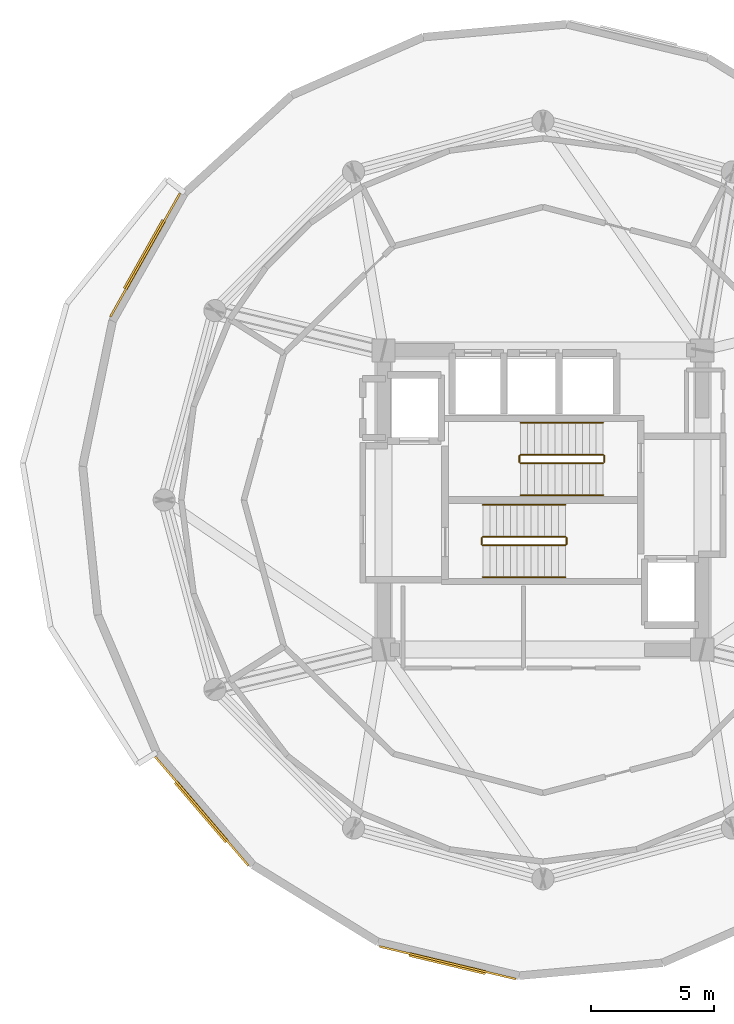
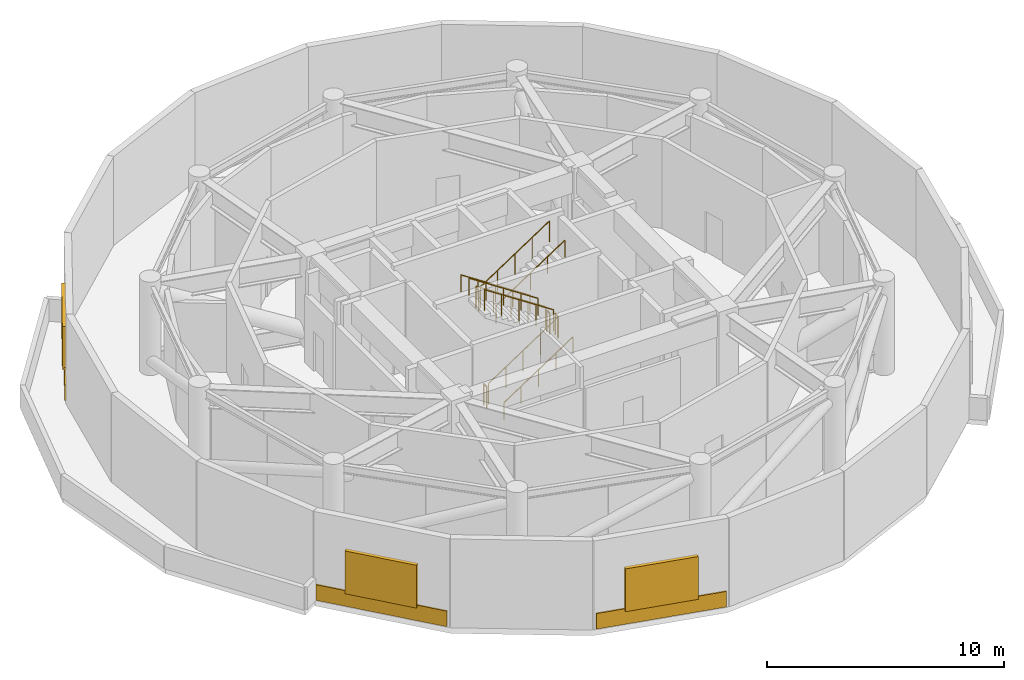
# One storey, part 6 of 7: 12 railings, 3 coverings, 3 shading devices.
"""IFC4 building model written with IfcOpenShell, lengths in metres."""

from ifc_helpers import new_model, si_unit, direction, frame, origin, origin_2d, place, context, subcontext, project, spatial, rectangle, circle, extrude, material, layer, layer_set, type_object, element, save


model = new_model("IFC4")

# Units and contexts
model_context = context("Model", 3, precision=1e-05, world=origin(), true_north=direction((0.0, 1.0)))
body_context = subcontext(model_context, "Body", "Model", "MODEL_VIEW")
ifc_project = project(units=[si_unit("LENGTHUNIT", "METRE"), si_unit("AREAUNIT", "SQUARE_METRE"), si_unit("VOLUMEUNIT", "CUBIC_METRE"), si_unit("PLANEANGLEUNIT", "RADIAN"), si_unit("MASSUNIT", "GRAM", prefix="KILO")], contexts=[model_context])

# Site, building, storey
site_placement = place(None, origin())
site = spatial("IfcSite", under=ifc_project, at=site_placement, CompositionType="ELEMENT")
building_placement = place(site_placement, origin())
building = spatial("IfcBuilding", under=site, at=building_placement, Name="Solvirekh Grand Hotel", CompositionType="ELEMENT")
storey_placement = place(building_placement, frame((0.0, 0.0, 234.39990234375)))
storey = spatial("IfcBuildingStorey", under=building, at=storey_placement, Name="L61", CompositionType="ELEMENT", Elevation=234.39990234375)

# Coverings
ifc_material_1 = material(Name="Anodized Bronze Aluminium 6063-T6", Category="aluminium")
ifc_layer_1 = layer(ifc_material_1, 0.0400390625)
ifc_layer_set_1 = layer_set([ifc_layer_1], Name="Anodized Bronze Aluminium 6063-T6")
covering_type = type_object("IfcCoveringType", Name="Cov_Cladding_Bronze", PredefinedType="CLADDING", material=ifc_layer_set_1)
covering_1_placement = place(storey_placement, frame((-16.22412109375, 9.990966796875, 0.05029296875), z_axis=(0.0, 0.0, 1.0), x_axis=(0.490751690644, 0.871299476719, 0.0)))
element("IfcCovering", 1, at=covering_1_placement, inside=storey, type_object=covering_type, Name="L61 bronze spandrel cladding band 13", PredefinedType="CLADDING", context=body_context, shape_type="SweptSolid", body=[
    extrude(rectangle(XDim=5.783935546875, YDim=0.080078125, at=origin_2d()), origin(), (0.0, 0.0, 1.0), 0.800048828125),
])
covering_2_placement = place(storey_placement, frame((-13.912109375, -12.696044921875, 0.05029296875), z_axis=(0.0, 0.0, 1.0), x_axis=(-0.650509141939, 0.759498424128, 0.0)))
element("IfcCovering", 2, at=covering_2_placement, inside=storey, type_object=covering_type, Name="L61 bronze spandrel cladding band 17", PredefinedType="CLADDING", context=body_context, shape_type="SweptSolid", body=[
    extrude(rectangle(XDim=5.85400390625, YDim=0.080078125, at=origin_2d()), origin(), (0.0, 0.0, 1.0), 0.800048828125),
])
covering_3_placement = place(storey_placement, frame((-3.886962890625, -18.873046875, 0.05029296875), z_axis=(0.0, 0.0, 1.0), x_axis=(-0.972613850605, 0.232426972642, 0.0)))
element("IfcCovering", 3, at=covering_3_placement, inside=storey, type_object=covering_type, Name="L61 bronze spandrel cladding band 19", PredefinedType="CLADDING", context=body_context, shape_type="SweptSolid", body=[
    extrude(rectangle(XDim=5.715087890625, YDim=0.080078125, at=origin_2d()), origin(), (0.0, 0.0, 1.0), 0.800048828125),
])

# Railings
ifc_material_2 = material(Name="Steel S355", Category="steel")
railing_type_1 = type_object("IfcRailingType", Name="Guard_Stair_1100", PredefinedType="GUARDRAIL", material=ifc_material_2)
railing_1_placement = place(storey_placement, frame((-2.449951171875, -1.85009765625, 0.184814453125)))
element("IfcRailing", 4, at=railing_1_placement, inside=storey, type_object=railing_type_1, Name="L61 ST-1 stair guard 1", PredefinedType="GUARDRAIL", context=body_context, shape_type="SweptSolid", body=[
    extrude(circle(Radius=0.02392578125, at=origin_2d()), frame((0.0, 0.0, 1.076171875), z_axis=(0.834858096282, 0.0, 0.550465220583), x_axis=(0.0, 1.0, 0.0)), (0.0, 0.0, 1.0), 4.0244140625),
    extrude(circle(Radius=0.02099609375, at=origin_2d()), origin(), (0.0, 0.0, 1.0), 1.052001953125),
    extrude(circle(Radius=0.02099609375, at=origin_2d()), frame((0.83984375, 0.0, 0.5537109375)), (0.0, 0.0, 1.0), 1.052001953125),
    extrude(circle(Radius=0.02099609375, at=origin_2d()), frame((1.679931640625, 0.0, 1.107666015625)), (0.0, 0.0, 1.0), 1.052001953125),
    extrude(circle(Radius=0.02099609375, at=origin_2d()), frame((2.52001953125, 0.0, 1.66162109375)), (0.0, 0.0, 1.0), 1.052001953125),
    extrude(circle(Radius=0.02099609375, at=origin_2d()), frame((3.35986328125, 0.0, 2.21533203125)), (0.0, 0.0, 1.0), 1.052001953125),
])
railing_2_placement = place(storey_placement, frame((0.9599609375, -1.800048828125, 2.400146484375)))
element("IfcRailing", 5, at=railing_2_placement, inside=storey, type_object=railing_type_1, Name="L61 ST-1 stair guard 2", PredefinedType="GUARDRAIL", context=body_context, shape_type="SweptSolid", body=[
    extrude(circle(Radius=0.02392578125, at=origin_2d()), frame((0.0, 0.0, 1.076171875), z_axis=(0.0, 1.0, 0.0), x_axis=(-1.0, 0.0, 0.0)), (0.0, 0.0, 1.0), 0.25),
    extrude(circle(Radius=0.02099609375, at=origin_2d()), origin(), (0.0, 0.0, 1.0), 1.052001953125),
    extrude(circle(Radius=0.02099609375, at=origin_2d()), frame((0.0, 0.25, 0.0)), (0.0, 0.0, 1.0), 1.052001953125),
])
railing_3_placement = place(storey_placement, frame((0.909912109375, -1.5, 2.584716796875)))
element("IfcRailing", 6, at=railing_3_placement, inside=storey, type_object=railing_type_1, Name="L61 ST-1 stair guard 3", PredefinedType="GUARDRAIL", context=body_context, shape_type="SweptSolid", body=[
    extrude(circle(Radius=0.02392578125, at=origin_2d()), frame((0.0, 0.0, 1.076171875), z_axis=(-0.834858096282, 0.0, 0.550465220583), x_axis=(0.0, -1.0, 0.0)), (0.0, 0.0, 1.0), 4.0244140625),
    extrude(circle(Radius=0.02099609375, at=origin_2d()), origin(), (0.0, 0.0, 1.0), 1.052001953125),
    extrude(circle(Radius=0.02099609375, at=origin_2d()), frame((-0.83984375, 0.0, 0.5537109375)), (0.0, 0.0, 1.0), 1.052001953125),
    extrude(circle(Radius=0.02099609375, at=origin_2d()), frame((-1.679931640625, 0.0, 1.107666015625)), (0.0, 0.0, 1.0), 1.052001953125),
    extrude(circle(Radius=0.02099609375, at=origin_2d()), frame((-2.52001953125, 0.0, 1.66162109375)), (0.0, 0.0, 1.0), 1.052001953125),
    extrude(circle(Radius=0.02099609375, at=origin_2d()), frame((-3.35986328125, 0.0, 2.21533203125)), (0.0, 0.0, 1.0), 1.052001953125),
])
railing_4_placement = place(storey_placement, frame((-2.5, -1.800048828125, 0.0)))
element("IfcRailing", 7, at=railing_4_placement, inside=storey, type_object=railing_type_1, Name="L61 ST-1 stair guard 4", PredefinedType="GUARDRAIL", context=body_context, shape_type="SweptSolid", body=[
    extrude(circle(Radius=0.02392578125, at=origin_2d()), frame((0.0, 0.0, 1.076171875), z_axis=(0.0, 1.0, 0.0), x_axis=(-1.0, 0.0, 0.0)), (0.0, 0.0, 1.0), 0.25),
    extrude(circle(Radius=0.02099609375, at=origin_2d()), origin(), (0.0, 0.0, 1.0), 1.052001953125),
    extrude(circle(Radius=0.02099609375, at=origin_2d()), frame((0.0, 0.25, 0.0)), (0.0, 0.0, 1.0), 1.052001953125),
])
railing_5_placement = place(storey_placement, frame((2.449951171875, 1.85009765625, 0.184814453125)))
element("IfcRailing", 8, at=railing_5_placement, inside=storey, type_object=railing_type_1, Name="L61 ST-2 stair guard 1", PredefinedType="GUARDRAIL", context=body_context, shape_type="SweptSolid", body=[
    extrude(circle(Radius=0.02392578125, at=origin_2d()), frame((0.0, 0.0, 1.076171875), z_axis=(-0.834858096282, 0.0, 0.550465220583), x_axis=(0.0, -1.0, 0.0)), (0.0, 0.0, 1.0), 4.0244140625),
    extrude(circle(Radius=0.02099609375, at=origin_2d()), origin(), (0.0, 0.0, 1.0), 1.052001953125),
    extrude(circle(Radius=0.02099609375, at=origin_2d()), frame((-0.83984375, 0.0, 0.5537109375)), (0.0, 0.0, 1.0), 1.052001953125),
    extrude(circle(Radius=0.02099609375, at=origin_2d()), frame((-1.679931640625, 0.0, 1.107666015625)), (0.0, 0.0, 1.0), 1.052001953125),
    extrude(circle(Radius=0.02099609375, at=origin_2d()), frame((-2.52001953125, 0.0, 1.66162109375)), (0.0, 0.0, 1.0), 1.052001953125),
    extrude(circle(Radius=0.02099609375, at=origin_2d()), frame((-3.35986328125, 0.0, 2.21533203125)), (0.0, 0.0, 1.0), 1.052001953125),
])
railing_6_placement = place(storey_placement, frame((-0.9599609375, 1.800048828125, 2.400146484375)))
element("IfcRailing", 9, at=railing_6_placement, inside=storey, type_object=railing_type_1, Name="L61 ST-2 stair guard 2", PredefinedType="GUARDRAIL", context=body_context, shape_type="SweptSolid", body=[
    extrude(circle(Radius=0.02392578125, at=origin_2d()), frame((0.0, 0.0, 1.076171875), z_axis=(0.0, -1.0, 0.0), x_axis=(1.0, 0.0, 0.0)), (0.0, 0.0, 1.0), 0.25),
    extrude(circle(Radius=0.02099609375, at=origin_2d()), origin(), (0.0, 0.0, 1.0), 1.052001953125),
    extrude(circle(Radius=0.02099609375, at=origin_2d()), frame((0.0, -0.25, 0.0)), (0.0, 0.0, 1.0), 1.052001953125),
])
railing_7_placement = place(storey_placement, frame((-0.909912109375, 1.5, 2.584716796875)))
element("IfcRailing", 10, at=railing_7_placement, inside=storey, type_object=railing_type_1, Name="L61 ST-2 stair guard 3", PredefinedType="GUARDRAIL", context=body_context, shape_type="SweptSolid", body=[
    extrude(circle(Radius=0.02392578125, at=origin_2d()), frame((0.0, 0.0, 1.076171875), z_axis=(0.834858096282, 0.0, 0.550465220583), x_axis=(0.0, 1.0, 0.0)), (0.0, 0.0, 1.0), 4.0244140625),
    extrude(circle(Radius=0.02099609375, at=origin_2d()), origin(), (0.0, 0.0, 1.0), 1.052001953125),
    extrude(circle(Radius=0.02099609375, at=origin_2d()), frame((0.83984375, 0.0, 0.5537109375)), (0.0, 0.0, 1.0), 1.052001953125),
    extrude(circle(Radius=0.02099609375, at=origin_2d()), frame((1.679931640625, 0.0, 1.107666015625)), (0.0, 0.0, 1.0), 1.052001953125),
    extrude(circle(Radius=0.02099609375, at=origin_2d()), frame((2.52001953125, 0.0, 1.66162109375)), (0.0, 0.0, 1.0), 1.052001953125),
    extrude(circle(Radius=0.02099609375, at=origin_2d()), frame((3.35986328125, 0.0, 2.21533203125)), (0.0, 0.0, 1.0), 1.052001953125),
])
railing_8_placement = place(storey_placement, frame((2.5, 1.800048828125, 0.0)))
element("IfcRailing", 11, at=railing_8_placement, inside=storey, type_object=railing_type_1, Name="L61 ST-2 stair guard 4", PredefinedType="GUARDRAIL", context=body_context, shape_type="SweptSolid", body=[
    extrude(circle(Radius=0.02392578125, at=origin_2d()), frame((0.0, 0.0, 1.076171875), z_axis=(0.0, -1.0, 0.0), x_axis=(1.0, 0.0, 0.0)), (0.0, 0.0, 1.0), 0.25),
    extrude(circle(Radius=0.02099609375, at=origin_2d()), origin(), (0.0, 0.0, 1.0), 1.052001953125),
    extrude(circle(Radius=0.02099609375, at=origin_2d()), frame((0.0, -0.25, 0.0)), (0.0, 0.0, 1.0), 1.052001953125),
])
railing_type_2 = type_object("IfcRailingType", Name="Handrail_Wall_900", PredefinedType="HANDRAIL", material=ifc_material_1)
railing_9_placement = place(storey_placement, frame((-2.449951171875, -3.14990234375, 0.184814453125)))
element("IfcRailing", 12, at=railing_9_placement, inside=storey, type_object=railing_type_2, Name="L61 ST-1 stair handrail 1", PredefinedType="HANDRAIL", context=body_context, shape_type="SweptSolid", body=[
    extrude(circle(Radius=0.02392578125, at=origin_2d()), frame((0.0, 0.0, 0.8759765625), z_axis=(0.834858096282, 0.0, 0.550465220583), x_axis=(0.0, 1.0, 0.0)), (0.0, 0.0, 1.0), 4.0244140625),
    extrude(circle(Radius=0.02099609375, at=origin_2d()), origin(), (0.0, 0.0, 1.0), 0.851806640625),
    extrude(circle(Radius=0.02099609375, at=origin_2d()), frame((0.83984375, 0.0, 0.5537109375)), (0.0, 0.0, 1.0), 0.851806640625),
    extrude(circle(Radius=0.02099609375, at=origin_2d()), frame((1.679931640625, 0.0, 1.107666015625)), (0.0, 0.0, 1.0), 0.851806640625),
    extrude(circle(Radius=0.02099609375, at=origin_2d()), frame((2.52001953125, 0.0, 1.66162109375)), (0.0, 0.0, 1.0), 0.851806640625),
    extrude(circle(Radius=0.02099609375, at=origin_2d()), frame((3.35986328125, 0.0, 2.21533203125)), (0.0, 0.0, 1.0), 0.851806640625),
])
for number, where, name in (
    (13, (0.909912109375, -0.199951171875, 2.584716796875), "L61 ST-1 stair handrail 2"),
    (14, (2.449951171875, 3.14990234375, 0.184814453125), "L61 ST-2 stair handrail 1"),
):
    element("IfcRailing", number, at=place(storey_placement, frame(where)), inside=storey, type_object=railing_type_2, Name=name, PredefinedType="HANDRAIL", context=body_context, shape_type="SweptSolid", body=[
        extrude(circle(Radius=0.02392578125, at=origin_2d()), frame((0.0, 0.0, 0.8759765625), z_axis=(-0.834858096282, 0.0, 0.550465220583), x_axis=(0.0, -1.0, 0.0)), (0.0, 0.0, 1.0), 4.0244140625),
        extrude(circle(Radius=0.02099609375, at=origin_2d()), origin(), (0.0, 0.0, 1.0), 0.851806640625),
        extrude(circle(Radius=0.02099609375, at=origin_2d()), frame((-0.83984375, 0.0, 0.5537109375)), (0.0, 0.0, 1.0), 0.851806640625),
        extrude(circle(Radius=0.02099609375, at=origin_2d()), frame((-1.679931640625, 0.0, 1.107666015625)), (0.0, 0.0, 1.0), 0.851806640625),
        extrude(circle(Radius=0.02099609375, at=origin_2d()), frame((-2.52001953125, 0.0, 1.66162109375)), (0.0, 0.0, 1.0), 0.851806640625),
        extrude(circle(Radius=0.02099609375, at=origin_2d()), frame((-3.35986328125, 0.0, 2.21533203125)), (0.0, 0.0, 1.0), 0.851806640625),
    ])
railing_10_placement = place(storey_placement, frame((-0.909912109375, 0.199951171875, 2.584716796875)))
element("IfcRailing", 15, at=railing_10_placement, inside=storey, type_object=railing_type_2, Name="L61 ST-2 stair handrail 2", PredefinedType="HANDRAIL", context=body_context, shape_type="SweptSolid", body=[
    extrude(circle(Radius=0.02392578125, at=origin_2d()), frame((0.0, 0.0, 0.8759765625), z_axis=(0.834858096282, 0.0, 0.550465220583), x_axis=(0.0, 1.0, 0.0)), (0.0, 0.0, 1.0), 4.0244140625),
    extrude(circle(Radius=0.02099609375, at=origin_2d()), origin(), (0.0, 0.0, 1.0), 0.851806640625),
    extrude(circle(Radius=0.02099609375, at=origin_2d()), frame((0.83984375, 0.0, 0.5537109375)), (0.0, 0.0, 1.0), 0.851806640625),
    extrude(circle(Radius=0.02099609375, at=origin_2d()), frame((1.679931640625, 0.0, 1.107666015625)), (0.0, 0.0, 1.0), 0.851806640625),
    extrude(circle(Radius=0.02099609375, at=origin_2d()), frame((2.52001953125, 0.0, 1.66162109375)), (0.0, 0.0, 1.0), 0.851806640625),
    extrude(circle(Radius=0.02099609375, at=origin_2d()), frame((3.35986328125, 0.0, 2.21533203125)), (0.0, 0.0, 1.0), 0.851806640625),
])

# Shading devices
ifc_layer_2 = layer(ifc_material_1, 0.1201171875)
ifc_layer_set_2 = layer_set([ifc_layer_2], Name="Anodized Bronze Aluminium 6063-T6")
shading_device_type = type_object("IfcShadingDeviceType", Name="Shade_PlantLouvre", PredefinedType="JALOUSIE", material=ifc_layer_set_2)
for number, where, z_axis, x_axis, name in (
    (16, (-16.25, 10.0048828125, 0.75), (0.0, 0.0, 1.0), (0.490751690644, 0.871299476719, 0.0), "L61 anodized bronze plant intake louvre 13"),
    (17, (-13.93408203125, -12.716064453125, 0.75), (0.0, 0.0, 1.0), (-0.650509141939, 0.759498424128, 0.0), "L61 anodized bronze plant intake louvre 17"),
    (18, (-3.89404296875, -18.902099609375, 0.75), (0.0, 0.0, 1.0), (-0.972613850605, 0.232426972642, 0.0), "L61 anodized bronze plant intake louvre 19"),
):
    element("IfcShadingDevice", number, at=place(storey_placement, frame(where, z_axis=z_axis, x_axis=x_axis)), inside=storey, type_object=shading_device_type, Name=name, PredefinedType="JALOUSIE", context=body_context, shape_type="SweptSolid", body=[
        extrude(rectangle(XDim=3.199951171875, YDim=0.179931640625, at=origin_2d()), origin(), (0.0, 0.0, 1.0), 2.199951171875),
    ])

save(model, "model.ifc")
